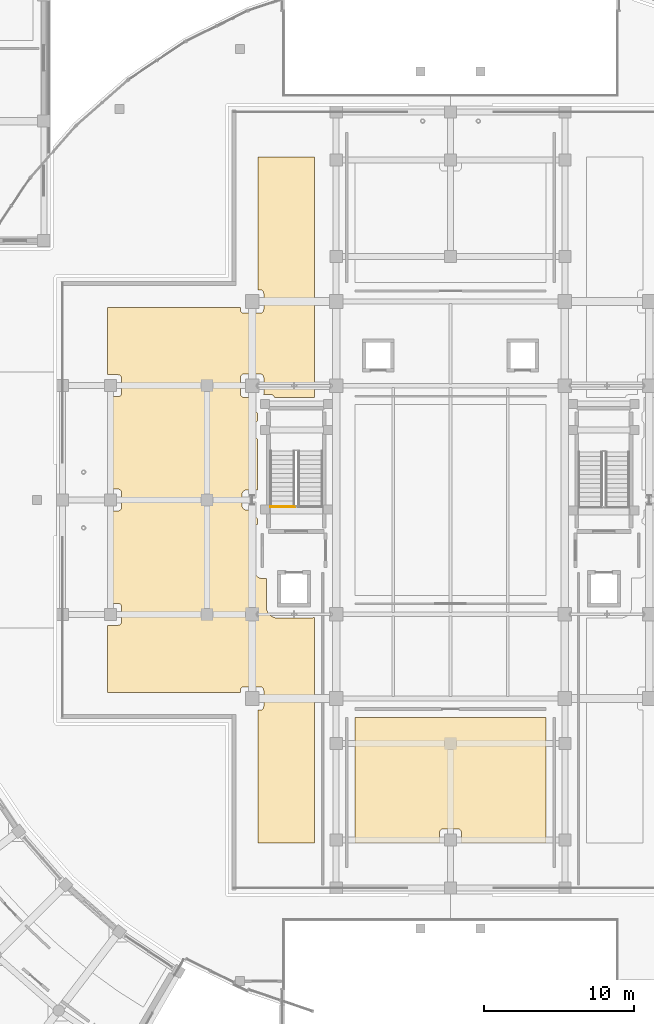
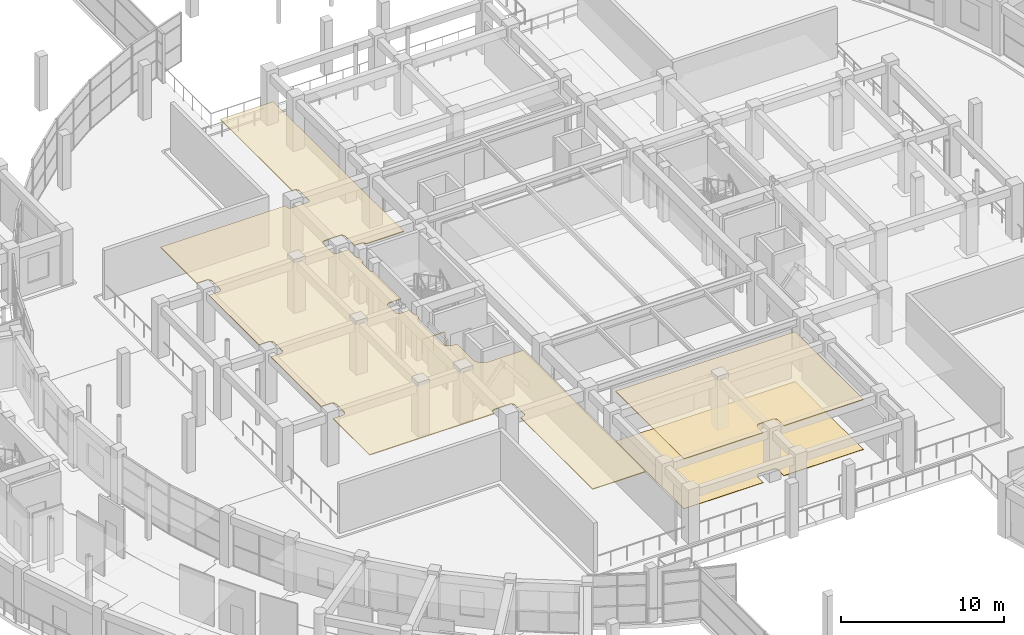
# One storey, part 77 of 87: 3 coverings, 1 railing.
"""IFC4 building model written with IfcOpenShell, lengths in metres."""

from ifc_helpers import new_model, si_unit, direction, frame, origin, origin_2d, place, context, subcontext, project, spatial, polyline, rectangle, outline, extrude, material, layer, layer_set, type_object, element, save


model = new_model("IFC4")

# Units and contexts
model_context = context("Model", 3, precision=1e-05, world=origin(), true_north=direction((0.0, 1.0)))
body_context = subcontext(model_context, "Body", "Model", "MODEL_VIEW")
ifc_project = project(units=[si_unit("LENGTHUNIT", "METRE"), si_unit("AREAUNIT", "SQUARE_METRE"), si_unit("VOLUMEUNIT", "CUBIC_METRE"), si_unit("PLANEANGLEUNIT", "RADIAN"), si_unit("MASSUNIT", "GRAM", prefix="KILO")], contexts=[model_context])

# Site, building, storey
site_placement = place(None, origin())
site = spatial("IfcSite", under=ifc_project, at=site_placement, CompositionType="ELEMENT")
building_placement = place(site_placement, origin())
building = spatial("IfcBuilding", under=site, at=building_placement, Name="Saryqyr Civic Hall", CompositionType="ELEMENT")
storey_placement = place(building_placement, frame((0.0, 0.0, 5.10009765625)))
storey = spatial("IfcBuildingStorey", under=building, at=storey_placement, Name="L01", CompositionType="ELEMENT", Elevation=5.10009765625)

# Coverings
ifc_material_1 = material(Name="Mineral-fibre acoustic ceiling tile", Category="acoustic_tile")
ifc_layer_1 = layer(ifc_material_1, 0.06005859375, Name="Mineral-fibre acoustic ceiling tile")
ifc_layer_set_1 = layer_set([ifc_layer_1], Name="Mineral-fibre acoustic ceiling tile")
covering_type_1 = type_object("IfcCoveringType", Name="INT-COV-CEIL-60", PredefinedType="CEILING", material=ifc_layer_set_1)
covering_1_placement = place(storey_placement, frame((0.0, 0.0, 3.7099609375)))
element("IfcCovering", 1, at=covering_1_placement, inside=storey, type_object=covering_type_1, Name="Acoustic ceiling Citizens' Mezzanine Advisory Gallery West", PredefinedType="CEILING", context=body_context, shape_type="SweptSolid", body=[
    extrude(outline(polyline([(47.949951171875, 90.820068359375), (45.282470703125, 90.820068359375), (45.279296875, 90.83251953125), (45.27099609375, 90.855712890625), (45.260498046875, 90.877685546875), (45.247802734375, 90.89892578125), (45.2333984375, 90.918701171875), (45.216796875, 90.936767578125), (45.198486328125, 90.953369140625), (45.178955078125, 90.968017578125), (45.15771484375, 90.98046875), (45.1357421875, 90.990966796875), (45.112548828125, 90.999267578125), (45.0888671875, 91.005126953125), (45.064453125, 91.0087890625), (45.0400390625, 91.010009765625), (44.572509765625, 91.010009765625), (44.5751953125, 91.021240234375), (44.578857421875, 91.04541015625), (44.580078125, 91.070068359375), (44.580078125, 92.1298828125), (44.578857421875, 92.154541015625), (44.5751953125, 92.1787109375), (44.569091796875, 92.20263671875), (44.56103515625, 92.2255859375), (44.550537109375, 92.247802734375), (44.537841796875, 92.268798828125), (44.523193359375, 92.28857421875), (44.5068359375, 92.306884765625), (44.488525390625, 92.3232421875), (44.468994140625, 92.337890625), (44.44775390625, 92.3505859375), (44.42578125, 92.361083984375), (44.402587890625, 92.369140625), (44.37890625, 92.375244140625), (44.3544921875, 92.37890625), (44.330078125, 92.3798828125), (43.27001953125, 92.3798828125), (43.24560546875, 92.37890625), (43.22119140625, 92.375244140625), (43.197509765625, 92.369140625), (43.17431640625, 92.361083984375), (43.152099609375, 92.3505859375), (43.131103515625, 92.337890625), (43.111328125, 92.3232421875), (43.09326171875, 92.306884765625), (43.07666015625, 92.28857421875), (43.06201171875, 92.268798828125), (43.049560546875, 92.247802734375), (43.0390625, 92.2255859375), (43.03076171875, 92.20263671875), (43.02490234375, 92.1787109375), (43.021240234375, 92.154541015625), (43.02001953125, 92.1298828125), (43.02001953125, 91.070068359375), (43.021240234375, 91.04541015625), (43.02490234375, 91.021240234375), (43.03076171875, 90.997314453125), (43.0390625, 90.974365234375), (43.049560546875, 90.9521484375), (43.06201171875, 90.93115234375), (43.07666015625, 90.911376953125), (43.09326171875, 90.893310546875), (43.111328125, 90.876708984375), (43.131103515625, 90.862060546875), (43.152099609375, 90.849609375), (43.17431640625, 90.839111328125), (43.197509765625, 90.830810546875), (43.22119140625, 90.82470703125), (43.24560546875, 90.8212890625), (43.27001953125, 90.820068359375), (44.03759765625, 90.820068359375), (44.034912109375, 90.808837890625), (44.03125, 90.784423828125), (44.030029296875, 90.760009765625), (44.030029296875, 90.0), (44.03125, 89.9755859375), (44.034912109375, 89.951171875), (44.040771484375, 89.927490234375), (44.049072265625, 89.904296875), (44.0595703125, 89.882080078125), (44.072021484375, 89.861083984375), (44.086669921875, 89.84130859375), (44.103271484375, 89.8232421875), (44.121337890625, 89.806640625), (44.14111328125, 89.7919921875), (44.162109375, 89.779541015625), (44.179931640625, 89.77099609375), (44.179931640625, 89.2587890625), (44.162109375, 89.25048828125), (44.14111328125, 89.23779296875), (44.121337890625, 89.223388671875), (44.103271484375, 89.206787109375), (44.086669921875, 89.188720703125), (44.072021484375, 89.1689453125), (44.0595703125, 89.147705078125), (44.049072265625, 89.125732421875), (44.040771484375, 89.1025390625), (44.034912109375, 89.078857421875), (44.03125, 89.054443359375), (44.030029296875, 89.030029296875), (44.030029296875, 88.27001953125), (44.03125, 88.24560546875), (44.034912109375, 88.22119140625), (44.040771484375, 88.197509765625), (44.049072265625, 88.17431640625), (44.0595703125, 88.152099609375), (44.072021484375, 88.131103515625), (44.086669921875, 88.111328125), (44.103271484375, 88.09326171875), (44.121337890625, 88.07666015625), (44.14111328125, 88.06201171875), (44.162109375, 88.049560546875), (44.179931640625, 88.041015625), (44.179931640625, 84.655029296875), (43.39501953125, 84.655029296875), (43.37060546875, 84.65380859375), (43.34619140625, 84.650146484375), (43.322509765625, 84.644287109375), (43.29931640625, 84.635986328125), (43.277099609375, 84.62548828125), (43.256103515625, 84.61279296875), (43.236328125, 84.598388671875), (43.21826171875, 84.581787109375), (43.20166015625, 84.563720703125), (43.18701171875, 84.5439453125), (43.174560546875, 84.522705078125), (43.1640625, 84.500732421875), (43.15576171875, 84.4775390625), (43.14990234375, 84.453857421875), (43.146240234375, 84.429443359375), (43.14501953125, 84.405029296875), (43.14501953125, 83.594970703125), (43.146240234375, 83.570556640625), (43.14990234375, 83.546142578125), (43.15576171875, 83.5224609375), (43.1640625, 83.499267578125), (43.174560546875, 83.477294921875), (43.18701171875, 83.4560546875), (43.20166015625, 83.436279296875), (43.21826171875, 83.418212890625), (43.236328125, 83.401611328125), (43.256103515625, 83.38720703125), (43.277099609375, 83.37451171875), (43.29931640625, 83.364013671875), (43.322509765625, 83.355712890625), (43.34619140625, 83.349853515625), (43.37060546875, 83.34619140625), (43.39501953125, 83.344970703125), (44.030029296875, 83.344970703125), (44.030029296875, 82.985107421875), (44.03125, 82.96044921875), (44.034912109375, 82.936279296875), (44.040771484375, 82.912353515625), (44.049072265625, 82.889404296875), (44.0595703125, 82.8671875), (44.072021484375, 82.84619140625), (44.086669921875, 82.826416015625), (44.103271484375, 82.80810546875), (44.121337890625, 82.791748046875), (44.14111328125, 82.777099609375), (44.162109375, 82.764404296875), (44.179931640625, 82.756103515625), (44.179931640625, 82.410400390625), (44.17236328125, 82.406005859375), (44.12939453125, 82.373779296875), (44.089599609375, 82.33740234375), (44.053466796875, 82.297119140625), (44.021484375, 82.253662109375), (43.993896484375, 82.20751953125), (43.97119140625, 82.158447265625), (43.953125, 82.107666015625), (43.940185546875, 82.055419921875), (43.9326171875, 82.001953125), (43.929931640625, 81.947998046875), (43.93896484375, 79.33154296875), (43.941650390625, 79.277587890625), (43.94970703125, 79.224609375), (43.962890625, 79.17236328125), (43.981201171875, 79.12158203125), (44.00439453125, 79.072998046875), (44.031982421875, 79.027099609375), (44.064208984375, 78.98388671875), (44.1005859375, 78.944091796875), (44.140380859375, 78.907958984375), (44.18359375, 78.875732421875), (44.22998046875, 78.84814453125), (44.278564453125, 78.8251953125), (44.3291015625, 78.80712890625), (44.38134765625, 78.7939453125), (44.434814453125, 78.7861328125), (44.48828125, 78.783447265625), (44.75, 78.783203125), (44.75, 76.89990234375), (44.75048828125, 76.88037109375), (44.752197265625, 76.84619140625), (44.756103515625, 76.806884765625), (44.760986328125, 76.77294921875), (44.768798828125, 76.734619140625), (44.777099609375, 76.701171875), (44.78857421875, 76.66357421875), (44.800048828125, 76.63134765625), (44.81494140625, 76.594970703125), (44.82958984375, 76.56396484375), (44.84814453125, 76.529296875), (44.865966796875, 76.5), (44.8876953125, 76.46728515625), (44.908203125, 76.439697265625), (44.93310546875, 76.4091796875), (44.9560546875, 76.3837890625), (44.98388671875, 76.356201171875), (45.00927734375, 76.3330078125), (45.039794921875, 76.30810546875), (45.0673828125, 76.28759765625), (45.099853515625, 76.265869140625), (45.12939453125, 76.248291015625), (45.1640625, 76.229736328125), (45.195068359375, 76.215087890625), (45.231201171875, 76.199951171875), (45.263671875, 76.1884765625), (45.30126953125, 76.177001953125), (45.33447265625, 76.168701171875), (45.373046875, 76.1611328125), (45.406982421875, 76.156005859375), (45.446044921875, 76.152099609375), (45.48046875, 76.150390625), (45.5, 76.14990234375), (47.699951171875, 76.14990234375), (47.719482421875, 76.150390625), (47.75390625, 76.152099609375), (47.79296875, 76.156005859375), (47.826904296875, 76.1611328125), (47.865478515625, 76.168701171875), (47.898681640625, 76.177001953125), (47.936279296875, 76.1884765625), (47.949951171875, 76.193359375), (47.949951171875, 61.199951171875), (44.199951171875, 61.199951171875), (44.199951171875, 70.02001953125), (44.330078125, 70.02001953125), (44.3544921875, 70.021240234375), (44.37890625, 70.02490234375), (44.402587890625, 70.03076171875), (44.42578125, 70.0390625), (44.44775390625, 70.049560546875), (44.468994140625, 70.06201171875), (44.488525390625, 70.07666015625), (44.5068359375, 70.09326171875), (44.523193359375, 70.111328125), (44.537841796875, 70.131103515625), (44.550537109375, 70.152099609375), (44.56103515625, 70.17431640625), (44.569091796875, 70.197509765625), (44.5751953125, 70.22119140625), (44.578857421875, 70.24560546875), (44.580078125, 70.27001953125), (44.580078125, 71.330078125), (44.578857421875, 71.3544921875), (44.5751953125, 71.37890625), (44.569091796875, 71.402587890625), (44.56103515625, 71.42578125), (44.550537109375, 71.44775390625), (44.537841796875, 71.468994140625), (44.523193359375, 71.488525390625), (44.5068359375, 71.5068359375), (44.488525390625, 71.523193359375), (44.468994140625, 71.537841796875), (44.44775390625, 71.550537109375), (44.42578125, 71.56103515625), (44.402587890625, 71.569091796875), (44.37890625, 71.5751953125), (44.3544921875, 71.578857421875), (44.330078125, 71.580078125), (43.27001953125, 71.580078125), (43.24560546875, 71.578857421875), (43.22119140625, 71.5751953125), (43.197509765625, 71.569091796875), (43.17431640625, 71.56103515625), (43.152099609375, 71.550537109375), (43.131103515625, 71.537841796875), (43.111328125, 71.523193359375), (43.09326171875, 71.5068359375), (43.07666015625, 71.488525390625), (43.06201171875, 71.468994140625), (43.049560546875, 71.44775390625), (43.0390625, 71.42578125), (43.03076171875, 71.402587890625), (43.02490234375, 71.37890625), (43.021240234375, 71.3544921875), (43.02001953125, 71.330078125), (43.02001953125, 71.199951171875), (34.199951171875, 71.199951171875), (34.199951171875, 75.669921875), (34.8798828125, 75.669921875), (34.904541015625, 75.671142578125), (34.9287109375, 75.6748046875), (34.95263671875, 75.680908203125), (34.9755859375, 75.68896484375), (34.997802734375, 75.699462890625), (35.018798828125, 75.712158203125), (35.03857421875, 75.726806640625), (35.056884765625, 75.7431640625), (35.0732421875, 75.761474609375), (35.087890625, 75.781005859375), (35.1005859375, 75.80224609375), (35.111083984375, 75.82421875), (35.119140625, 75.847412109375), (35.125244140625, 75.87109375), (35.12890625, 75.8955078125), (35.1298828125, 75.919921875), (35.1298828125, 76.8798828125), (35.12890625, 76.904541015625), (35.125244140625, 76.9287109375), (35.119140625, 76.95263671875), (35.111083984375, 76.9755859375), (35.1005859375, 76.997802734375), (35.087890625, 77.018798828125), (35.0732421875, 77.03857421875), (35.056884765625, 77.056884765625), (35.03857421875, 77.0732421875), (35.018798828125, 77.087890625), (34.997802734375, 77.1005859375), (34.9755859375, 77.111083984375), (34.95263671875, 77.119140625), (34.9287109375, 77.125244140625), (34.904541015625, 77.12890625), (34.8798828125, 77.1298828125), (34.199951171875, 77.1298828125), (34.199951171875, 83.27001953125), (34.8798828125, 83.27001953125), (34.904541015625, 83.271240234375), (34.9287109375, 83.27490234375), (34.95263671875, 83.28076171875), (34.9755859375, 83.2890625), (34.997802734375, 83.299560546875), (35.018798828125, 83.31201171875), (35.03857421875, 83.32666015625), (35.056884765625, 83.34326171875), (35.0732421875, 83.361328125), (35.087890625, 83.381103515625), (35.1005859375, 83.402099609375), (35.111083984375, 83.42431640625), (35.119140625, 83.447509765625), (35.125244140625, 83.47119140625), (35.12890625, 83.49560546875), (35.1298828125, 83.52001953125), (35.1298828125, 84.47998046875), (35.12890625, 84.50439453125), (35.125244140625, 84.52880859375), (35.119140625, 84.552490234375), (35.111083984375, 84.57568359375), (35.1005859375, 84.597900390625), (35.087890625, 84.618896484375), (35.0732421875, 84.638671875), (35.056884765625, 84.65673828125), (35.03857421875, 84.67333984375), (35.018798828125, 84.68798828125), (34.997802734375, 84.700439453125), (34.9755859375, 84.7109375), (34.95263671875, 84.71923828125), (34.9287109375, 84.72509765625), (34.904541015625, 84.728759765625), (34.8798828125, 84.72998046875), (34.199951171875, 84.72998046875), (34.199951171875, 90.8701171875), (34.8798828125, 90.8701171875), (34.904541015625, 90.87109375), (34.9287109375, 90.874755859375), (34.95263671875, 90.880859375), (34.9755859375, 90.888916015625), (34.997802734375, 90.8994140625), (35.018798828125, 90.912109375), (35.03857421875, 90.9267578125), (35.056884765625, 90.943115234375), (35.0732421875, 90.96142578125), (35.087890625, 90.981201171875), (35.1005859375, 91.002197265625), (35.111083984375, 91.0244140625), (35.119140625, 91.04736328125), (35.125244140625, 91.0712890625), (35.12890625, 91.095458984375), (35.1298828125, 91.1201171875), (35.1298828125, 92.080078125), (35.12890625, 92.1044921875), (35.125244140625, 92.12890625), (35.119140625, 92.152587890625), (35.111083984375, 92.17578125), (35.1005859375, 92.19775390625), (35.087890625, 92.218994140625), (35.0732421875, 92.238525390625), (35.056884765625, 92.2568359375), (35.03857421875, 92.273193359375), (35.018798828125, 92.287841796875), (34.997802734375, 92.300537109375), (34.9755859375, 92.31103515625), (34.95263671875, 92.319091796875), (34.9287109375, 92.3251953125), (34.904541015625, 92.328857421875), (34.8798828125, 92.330078125), (34.199951171875, 92.330078125), (34.199951171875, 96.800048828125), (43.02001953125, 96.800048828125), (43.02001953125, 96.669921875), (43.021240234375, 96.6455078125), (43.02490234375, 96.62109375), (43.03076171875, 96.597412109375), (43.0390625, 96.57421875), (43.049560546875, 96.55224609375), (43.06201171875, 96.531005859375), (43.07666015625, 96.511474609375), (43.09326171875, 96.4931640625), (43.111328125, 96.476806640625), (43.131103515625, 96.462158203125), (43.152099609375, 96.449462890625), (43.17431640625, 96.43896484375), (43.197509765625, 96.430908203125), (43.22119140625, 96.4248046875), (43.24560546875, 96.421142578125), (43.27001953125, 96.419921875), (44.330078125, 96.419921875), (44.3544921875, 96.421142578125), (44.37890625, 96.4248046875), (44.402587890625, 96.430908203125), (44.42578125, 96.43896484375), (44.44775390625, 96.449462890625), (44.468994140625, 96.462158203125), (44.488525390625, 96.476806640625), (44.5068359375, 96.4931640625), (44.523193359375, 96.511474609375), (44.537841796875, 96.531005859375), (44.550537109375, 96.55224609375), (44.56103515625, 96.57421875), (44.569091796875, 96.597412109375), (44.5751953125, 96.62109375), (44.578857421875, 96.6455078125), (44.580078125, 96.669921875), (44.580078125, 97.72998046875), (44.578857421875, 97.75439453125), (44.5751953125, 97.77880859375), (44.569091796875, 97.802490234375), (44.56103515625, 97.82568359375), (44.550537109375, 97.847900390625), (44.537841796875, 97.868896484375), (44.523193359375, 97.888671875), (44.5068359375, 97.90673828125), (44.488525390625, 97.92333984375), (44.468994140625, 97.93798828125), (44.44775390625, 97.950439453125), (44.42578125, 97.9609375), (44.402587890625, 97.96923828125), (44.37890625, 97.97509765625), (44.3544921875, 97.978759765625), (44.330078125, 97.97998046875), (44.199951171875, 97.97998046875), (44.199951171875, 106.800048828125), (47.949951171875, 106.800048828125), (47.949951171875, 90.820068359375)])), origin(), (0.0, 0.0, 1.0), 0.06005859375),
])
covering_2_placement = place(storey_placement, frame((0.0, 0.0, 3.7099609375)))
element("IfcCovering", 2, at=covering_2_placement, inside=storey, type_object=covering_type_1, Name="Acoustic ceiling Registry Witnesses' & Guests' Salon", PredefinedType="CEILING", context=body_context, shape_type="SweptSolid", body=[
    extrude(outline(polyline([(50.64990234375, 69.550048828125), (63.35009765625, 69.550048828125), (63.35009765625, 61.199951171875), (57.72998046875, 61.199951171875), (57.72998046875, 61.8798828125), (57.728759765625, 61.904541015625), (57.72509765625, 61.9287109375), (57.71923828125, 61.95263671875), (57.7109375, 61.9755859375), (57.700439453125, 61.997802734375), (57.68798828125, 62.018798828125), (57.67333984375, 62.03857421875), (57.65673828125, 62.056884765625), (57.638671875, 62.0732421875), (57.618896484375, 62.087890625), (57.597900390625, 62.1005859375), (57.57568359375, 62.111083984375), (57.552490234375, 62.119140625), (57.52880859375, 62.125244140625), (57.50439453125, 62.12890625), (57.47998046875, 62.1298828125), (56.52001953125, 62.1298828125), (56.49560546875, 62.12890625), (56.47119140625, 62.125244140625), (56.447509765625, 62.119140625), (56.42431640625, 62.111083984375), (56.402099609375, 62.1005859375), (56.381103515625, 62.087890625), (56.361328125, 62.0732421875), (56.34326171875, 62.056884765625), (56.32666015625, 62.03857421875), (56.31201171875, 62.018798828125), (56.299560546875, 61.997802734375), (56.2890625, 61.9755859375), (56.28076171875, 61.95263671875), (56.27490234375, 61.9287109375), (56.271240234375, 61.904541015625), (56.27001953125, 61.8798828125), (56.27001953125, 61.199951171875), (50.64990234375, 61.199951171875), (50.64990234375, 69.550048828125)])), origin(), (0.0, 0.0, 1.0), 0.06005859375),
])
ifc_material_2 = material(Name="Polished terrazzo tile", Category="stone")
ifc_layer_2 = layer(ifc_material_2, 0.030029296875, Name="Polished terrazzo tile")
ifc_layer_set_2 = layer_set([ifc_layer_2], Name="Polished terrazzo tile")
covering_type_2 = type_object("IfcCoveringType", Name="INT-COV-FLR-30", PredefinedType="FLOORING", material=ifc_layer_set_2)
covering_3_placement = place(storey_placement, origin())
element("IfcCovering", 3, at=covering_3_placement, inside=storey, type_object=covering_type_2, Name="Polished terrazzo flooring Registry Witnesses' & Guests' Salon", PredefinedType="FLOORING", context=body_context, shape_type="SweptSolid", body=[
    extrude(outline(polyline([(50.64990234375, 69.550048828125), (63.35009765625, 69.550048828125), (63.35009765625, 61.199951171875), (57.72998046875, 61.199951171875), (57.72998046875, 61.8798828125), (57.728759765625, 61.904541015625), (57.72509765625, 61.9287109375), (57.71923828125, 61.95263671875), (57.7109375, 61.9755859375), (57.700439453125, 61.997802734375), (57.68798828125, 62.018798828125), (57.67333984375, 62.03857421875), (57.65673828125, 62.056884765625), (57.638671875, 62.0732421875), (57.618896484375, 62.087890625), (57.597900390625, 62.1005859375), (57.57568359375, 62.111083984375), (57.552490234375, 62.119140625), (57.52880859375, 62.125244140625), (57.50439453125, 62.12890625), (57.47998046875, 62.1298828125), (56.52001953125, 62.1298828125), (56.49560546875, 62.12890625), (56.47119140625, 62.125244140625), (56.447509765625, 62.119140625), (56.42431640625, 62.111083984375), (56.402099609375, 62.1005859375), (56.381103515625, 62.087890625), (56.361328125, 62.0732421875), (56.34326171875, 62.056884765625), (56.32666015625, 62.03857421875), (56.31201171875, 62.018798828125), (56.299560546875, 61.997802734375), (56.2890625, 61.9755859375), (56.28076171875, 61.95263671875), (56.27490234375, 61.9287109375), (56.271240234375, 61.904541015625), (56.27001953125, 61.8798828125), (56.27001953125, 61.199951171875), (50.64990234375, 61.199951171875), (50.64990234375, 69.550048828125)])), origin(), (0.0, 0.0, 1.0), 0.02978515625),
])

# Railing
ifc_material_3 = material(Name="Warm brushed brass and laminated glass", Category="glass")
ifc_layer_3 = layer(ifc_material_3, 0.06005859375, Name="Warm brushed brass and laminated glass")
ifc_layer_set_3 = layer_set([ifc_layer_3], Name="Warm brushed brass and laminated glass")
railing_type = type_object("IfcRailingType", Name="INT-RLG-BAL-1100", PredefinedType="BALUSTRADE", material=ifc_layer_set_3)
railing_placement = place(storey_placement, frame((45.044921875, 83.550048828125, 0.0)))
element("IfcRailing", 4, at=railing_placement, inside=storey, type_object=railing_type, Name="Interior deck safety balustrade L01-080", PredefinedType="BALUSTRADE", context=body_context, shape_type="SweptSolid", body=[
    extrude(rectangle(XDim=0.048095703125, YDim=0.048095703125, at=origin_2d()), frame((0.0, 0.0, 1.09619140625), z_axis=(1.0, 0.0, 0.0), x_axis=(0.0, 1.0, 0.0)), (0.0, 0.0, 1.0), 1.60498046875),
    extrude(rectangle(XDim=0.0419921875, YDim=0.0419921875, at=origin_2d()), origin(), (0.0, 0.0, 1.0), 1.072021484375),
    extrude(rectangle(XDim=0.0419921875, YDim=0.0419921875, at=origin_2d()), frame((0.802490234375, 0.0, 0.0)), (0.0, 0.0, 1.0), 1.072021484375),
    extrude(rectangle(XDim=0.0419921875, YDim=0.0419921875, at=origin_2d()), frame((1.60498046875, 0.0, 0.0)), (0.0, 0.0, 1.0), 1.072021484375),
])

save(model, "model.ifc")
